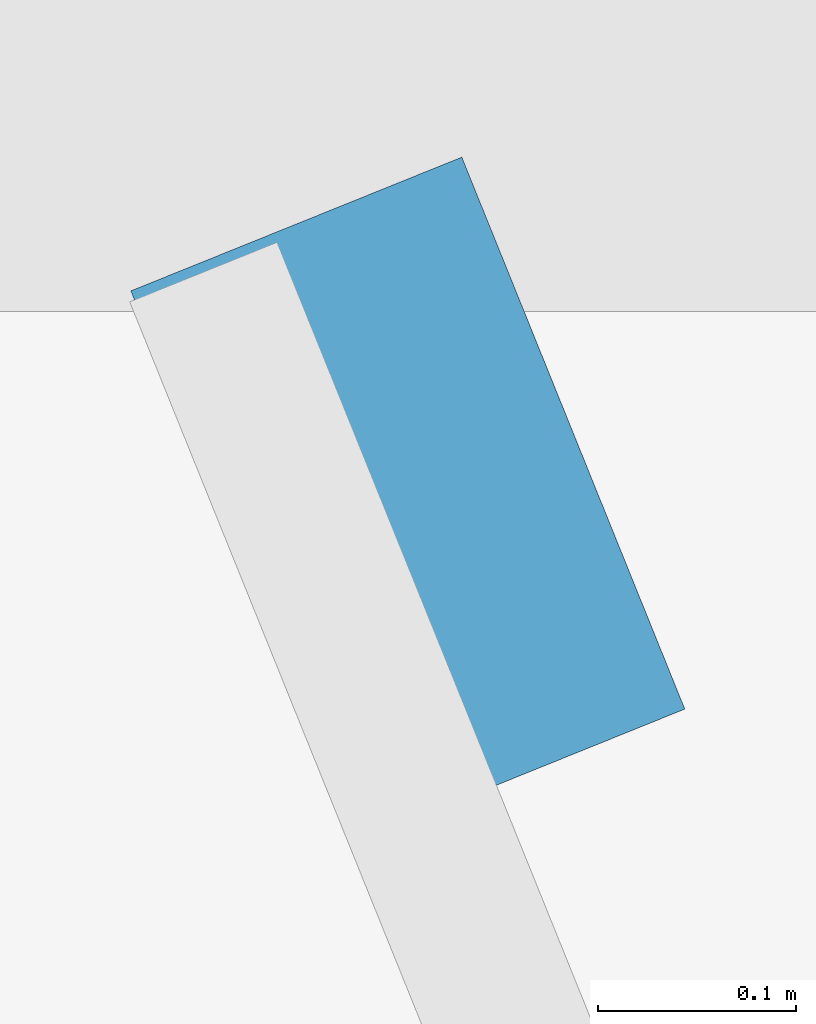
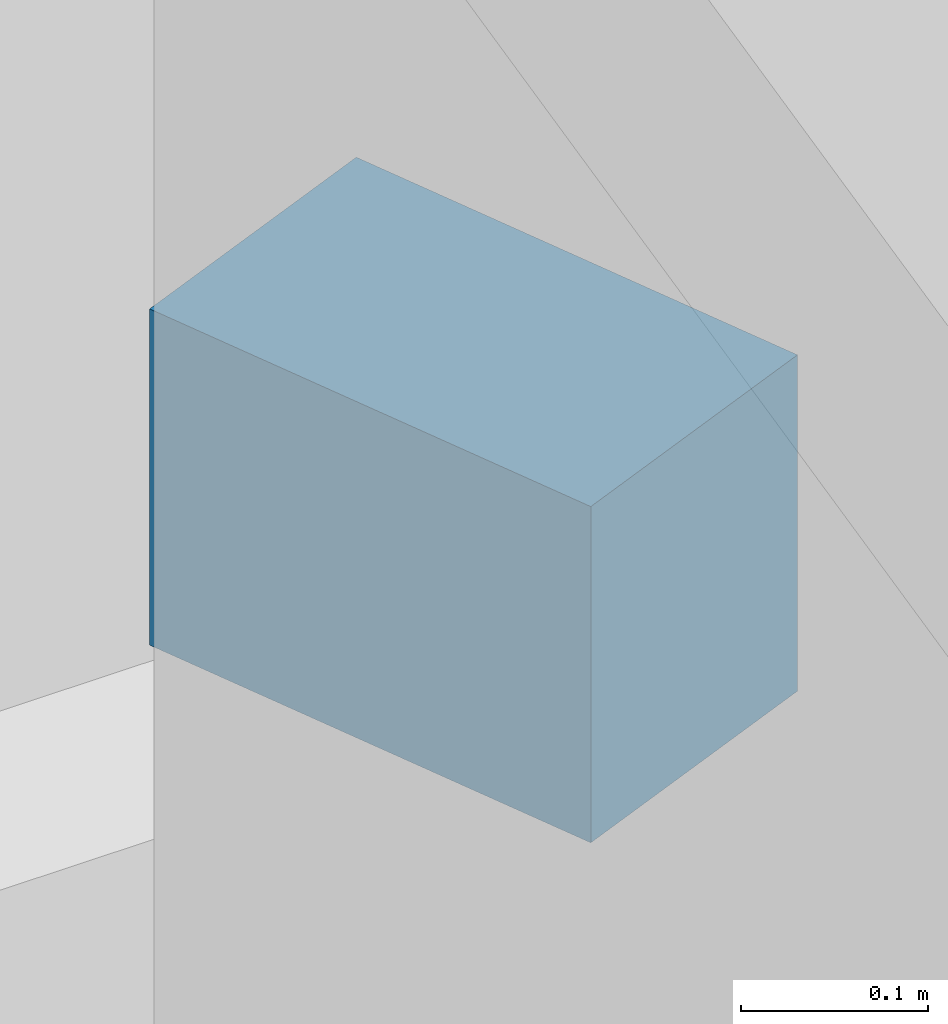
# One storey, part 37 of 42: 1 discrete accessory.
"""IFC4 building model written with IfcOpenShell, lengths in metres."""

from ifc_helpers import new_model, si_unit, direction, frame, origin, origin_2d, place, context, subcontext, project, spatial, rectangle, extrude, material, type_object, element, save


model = new_model("IFC4")

# Units and contexts
model_context = context("Model", 3, precision=1e-05, world=origin(), true_north=direction((0.0, 1.0)))
body_context = subcontext(model_context, "Body", "Model", "MODEL_VIEW")
ifc_project = project(units=[si_unit("LENGTHUNIT", "METRE"), si_unit("AREAUNIT", "SQUARE_METRE"), si_unit("VOLUMEUNIT", "CUBIC_METRE"), si_unit("PLANEANGLEUNIT", "RADIAN"), si_unit("MASSUNIT", "GRAM", prefix="KILO")], contexts=[model_context])

# Site, building, storey
site_placement = place(None, origin())
site = spatial("IfcSite", under=ifc_project, at=site_placement, CompositionType="ELEMENT")
building_placement = place(site_placement, origin())
building = spatial("IfcBuilding", under=site, at=building_placement, Name="Vaudrelin Polytechnic", CompositionType="ELEMENT")
storey_placement = place(building_placement, frame((0.0, 0.0, 18.530029296875)))
storey = spatial("IfcBuildingStorey", under=building, at=storey_placement, Name="L04", CompositionType="ELEMENT", Elevation=18.530029296875)

# Discrete accessory
ifc_material = material(Name="Galvanised steel CSA G40.21 350W", Category="steel")
discrete_accessory_type = type_object("IfcDiscreteAccessoryType", Name="ENV-BRK-01", PredefinedType="BRACKET", material=ifc_material)
discrete_accessory_placement = place(storey_placement, frame((149.85009765625, 121.205078125, 0.98974609375), z_axis=(0.0, 0.0, 1.0), x_axis=(0.374606593416, -0.927183854567, 0.0)))
element("IfcDiscreteAccessory", 1, at=discrete_accessory_placement, inside=storey, type_object=discrete_accessory_type, Name="Solar fin support bracket BRK-034", PredefinedType="BRACKET", context=body_context, shape_type="SweptSolid", body=[
    extrude(rectangle(XDim=0.300048828125, YDim=0.179931640625, at=origin_2d()), origin(), (0.0, 0.0, 1.0), 0.219970703125),
])

save(model, "model.ifc")
